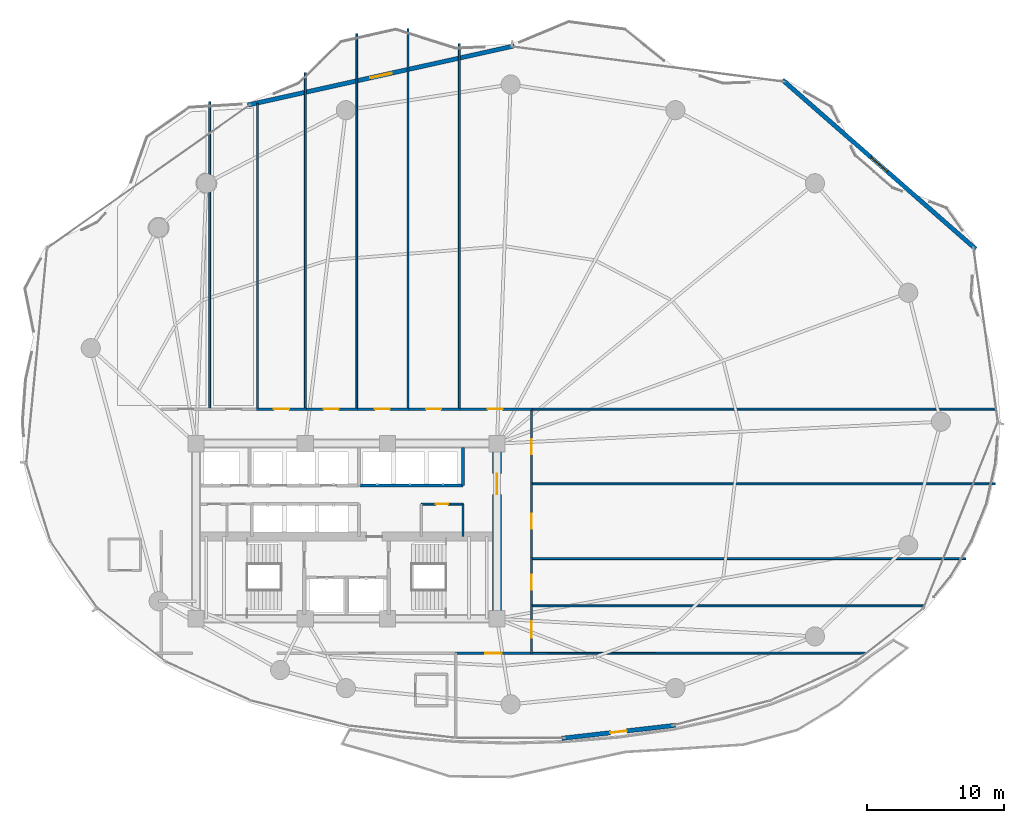
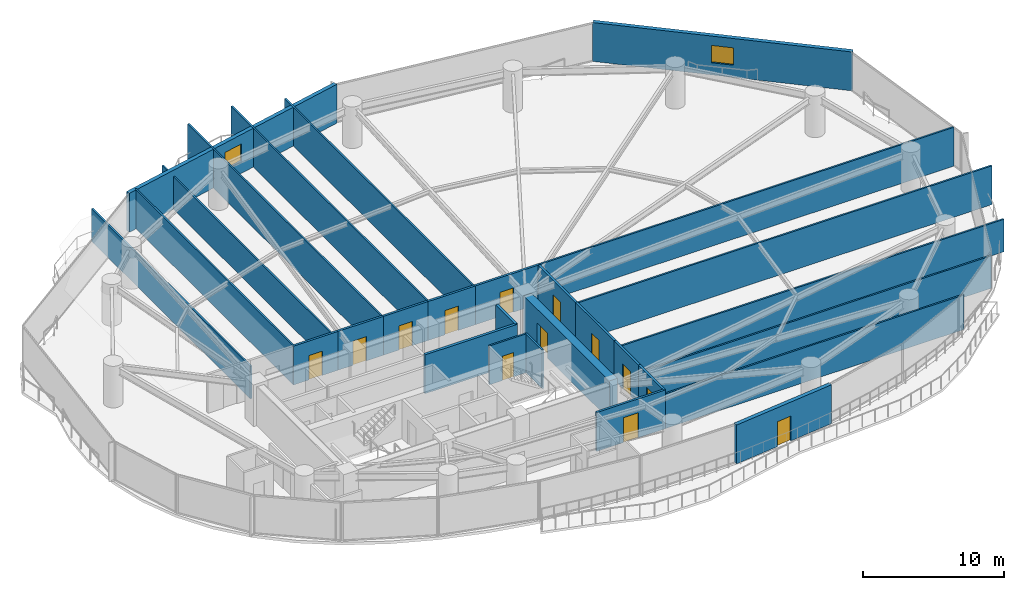
# One storey, part 26 of 31: 29 walls, 13 doors, 2 windows, 15 openings.
"""IFC4 building model written with IfcOpenShell, lengths in metres."""

from ifc_helpers import new_model, si_unit, direction, frame, frame_2d, origin, place, context, subcontext, project, spatial, rectangle, extrude, material, layer, layer_set, type_object, element, fill, save


model = new_model("IFC4")

# Units and contexts
model_context = context("Model", 3, precision=1e-05, world=origin(), true_north=direction((0.0, 1.0)))
body_context = subcontext(model_context, "Body", "Model", "MODEL_VIEW")
ifc_project = project(units=[si_unit("LENGTHUNIT", "METRE"), si_unit("AREAUNIT", "SQUARE_METRE"), si_unit("VOLUMEUNIT", "CUBIC_METRE"), si_unit("PLANEANGLEUNIT", "RADIAN"), si_unit("MASSUNIT", "GRAM", prefix="KILO")], contexts=[model_context])

# Site, building, storey
site_placement = place(None, origin())
site = spatial("IfcSite", under=ifc_project, at=site_placement, CompositionType="ELEMENT")
building_placement = place(site_placement, origin())
building = spatial("IfcBuilding", under=site, at=building_placement, Name="Kazevale Care Tower and Concert Hall", CompositionType="ELEMENT")
storey_placement = place(building_placement, frame((0.0, 0.0, 56.39990234375)))
storey = spatial("IfcBuildingStorey", under=building, at=storey_placement, Name="L14", CompositionType="ELEMENT", Elevation=56.39990234375)

# Wall
ifc_material_1 = material(Name="Acoustic Gypsum on Steel Stud", Category="steel")
ifc_layer_1 = layer(ifc_material_1, 0.139892578125)
ifc_layer_set_1 = layer_set([ifc_layer_1], Name="Acoustic Gypsum on Steel Stud")
wall_type_1 = type_object("IfcWallType", Name="Acoustic Care & Suite Partition 140", PredefinedType="PARTITIONING", material=ifc_layer_set_1)
wall_1_placement = place(storey_placement, frame((41.52001953125, 29.6201171875, 0.0), z_axis=(0.0, 0.0, 1.0), x_axis=(0.0, 1.0, 0.0)))
element("IfcWall", 1, at=wall_1_placement, inside=storey, type_object=wall_type_1, Name="wall:L14:kb_ee", PredefinedType="PARTITIONING", context=body_context, shape_type="SweptSolid", body=[
    extrude(rectangle(XDim=2.35986328125, YDim=0.139892578125, at=frame_2d((1.179931640625, 0.0))), origin(), (0.0, 0.0, 1.0), 3.360107421875),
])

# Wall, opening, door
wall_2_placement = place(storey_placement, frame((38.47998046875, 31.97998046875, 0.0), z_axis=(0.0, 0.0, 1.0), x_axis=(1.0, 0.0, 0.0)))
wall_2 = element("IfcWall", 2, at=wall_2_placement, inside=storey, type_object=wall_type_1, Name="wall:L14:kb_en", PredefinedType="PARTITIONING", context=body_context, shape_type="SweptSolid", body=[
    extrude(rectangle(XDim=3.0400390625, YDim=0.139892578125, at=frame_2d((1.52001953125, 0.0))), origin(), (0.0, 0.0, 1.0), 3.360107421875),
])
opening_1_placement = place(wall_2_placement, frame((1.044921875, 0.0, 0.0)))
opening_1 = element("IfcOpeningElement", 3, at=opening_1_placement, cuts=wall_2, Name="Opening ID-900", PredefinedType="OPENING", context=body_context, shape_type="SweptSolid", body=[
    extrude(rectangle(XDim=0.919921875, YDim=2.10009765625, at=frame_2d((0.4599609375, 1.050048828125))), frame((0.0, 0.079833984375, 0.0), z_axis=(0.0, -1.0, 0.0), x_axis=(1.0, 0.0, 0.0)), (0.0, 0.0, 1.0), 0.159912109375),
])
ifc_material_2 = material(Name="Oak Timber Fire Leaf", Category="wood")
door_type_1 = type_object("IfcDoorType", Name="Bathroom & Service Door 920x2100", OperationType="NOTDEFINED", PredefinedType="DOOR", material=ifc_material_2)
door_1_placement = place(opening_1_placement, origin())
door_1 = element("IfcDoor", 4, at=door_1_placement, inside=storey, type_object=door_type_1, Name="door:L14:d_kbe", OperationType="SINGLE_SWING_LEFT", OverallHeight=2.10009765625, OverallWidth=0.919921875, PredefinedType="DOOR", context=body_context, shape_type="SweptSolid", body=[
    extrude(rectangle(XDim=0.919921875, YDim=2.10009765625, at=frame_2d((0.4599609375, 1.050048828125))), frame((0.0, 0.02490234375, 0.0), z_axis=(0.0, -1.0, 0.0), x_axis=(1.0, 0.0, 0.0)), (0.0, 0.0, 1.0), 0.050048828125),
])
fill(opening_1, door_1)

# Walls
wall_3_placement = place(storey_placement, frame((23.0, 61.39404296875, 0.0), z_axis=(0.0, 0.0, 1.0), x_axis=(0.0, -1.0, 0.0)))
element("IfcWall", 5, at=wall_3_placement, inside=storey, type_object=wall_type_1, Name="wall:L14:auto_016", PredefinedType="PARTITIONING", context=body_context, shape_type="SweptSolid", body=[
    extrude(rectangle(XDim=22.4990234375, YDim=0.139892578125, at=frame_2d((11.24951171875, 0.0))), origin(), (0.0, 0.0, 1.0), 2.80615234375),
])
wall_4_placement = place(storey_placement, frame((26.5, 61.2939453125, 0.0), z_axis=(0.0, 0.0, 1.0), x_axis=(0.0, -1.0, 0.0)))
element("IfcWall", 6, at=wall_4_placement, inside=storey, type_object=wall_type_1, Name="wall:L14:auto_017", PredefinedType="PARTITIONING", context=body_context, shape_type="SweptSolid", body=[
    extrude(rectangle(XDim=22.39892578125, YDim=0.139892578125, at=frame_2d((11.199462890625, 0.0))), origin(), (0.0, 0.0, 1.0), 3.360107421875),
])
wall_5_placement = place(storey_placement, frame((30.0, 63.52001953125, 0.0), z_axis=(0.0, 0.0, 1.0), x_axis=(0.0, -1.0, 0.0)))
element("IfcWall", 7, at=wall_5_placement, inside=storey, type_object=wall_type_1, Name="wall:L14:auto_018", PredefinedType="PARTITIONING", context=body_context, shape_type="SweptSolid", body=[
    extrude(rectangle(XDim=24.625, YDim=0.139892578125, at=frame_2d((12.3125, 0.0))), origin(), (0.0, 0.0, 1.0), 2.80615234375),
])
wall_6_placement = place(storey_placement, frame((33.75, 66.362060546875, 0.0), z_axis=(0.0, 0.0, 1.0), x_axis=(0.0, -1.0, 0.0)))
element("IfcWall", 8, at=wall_6_placement, inside=storey, type_object=wall_type_1, Name="wall:L14:auto_019", PredefinedType="PARTITIONING", context=body_context, shape_type="SweptSolid", body=[
    extrude(rectangle(XDim=27.467041015625, YDim=0.139892578125, at=frame_2d((13.7333984375, 0.0))), origin(), (0.0, 0.0, 1.0), 3.360107421875),
])
wall_7_placement = place(storey_placement, frame((37.5, 66.717041015625, 0.0), z_axis=(0.0, 0.0, 1.0), x_axis=(0.0, -1.0, 0.0)))
element("IfcWall", 9, at=wall_7_placement, inside=storey, type_object=wall_type_1, Name="wall:L14:auto_020", PredefinedType="PARTITIONING", context=body_context, shape_type="SweptSolid", body=[
    extrude(rectangle(XDim=27.822021484375, YDim=0.139892578125, at=frame_2d((13.9111328125, 0.0))), origin(), (0.0, 0.0, 1.0), 3.360107421875),
])
wall_8_placement = place(storey_placement, frame((41.25, 65.637939453125, 0.0), z_axis=(0.0, 0.0, 1.0), x_axis=(0.0, -1.0, 0.0)))
element("IfcWall", 10, at=wall_8_placement, inside=storey, type_object=wall_type_1, Name="wall:L14:auto_021", PredefinedType="PARTITIONING", context=body_context, shape_type="SweptSolid", body=[
    extrude(rectangle(XDim=26.742919921875, YDim=0.139892578125, at=frame_2d((13.37158203125, 0.0))), origin(), (0.0, 0.0, 1.0), 3.360107421875),
])
wall_9_placement = place(storey_placement, frame((80.480224609375, 38.925048828125, 0.0), z_axis=(0.0, 0.0, 1.0), x_axis=(-1.0, 0.0, 0.0)))
element("IfcWall", 11, at=wall_9_placement, inside=storey, type_object=wall_type_1, Name="wall:L14:auto_022", PredefinedType="PARTITIONING", context=body_context, shape_type="SweptSolid", body=[
    extrude(rectangle(XDim=34.020263671875, YDim=0.139892578125, at=frame_2d((17.01025390625, 0.0))), origin(), (0.0, 0.0, 1.0), 3.360107421875),
])
wall_10_placement = place(storey_placement, frame((46.4951171875, 24.5400390625, 0.0), z_axis=(0.0, 0.0, 1.0), x_axis=(1.0, 0.0, 0.0)))
element("IfcWall", 12, at=wall_10_placement, inside=storey, type_object=wall_type_1, Name="wall:L14:auto_023", PredefinedType="PARTITIONING", context=body_context, shape_type="SweptSolid", body=[
    extrude(rectangle(XDim=28.7470703125, YDim=0.139892578125, at=frame_2d((14.37353515625, 0.0))), origin(), (0.0, 0.0, 1.0), 2.80615234375),
])
wall_11_placement = place(storey_placement, frame((71.0107421875, 21.094482421875, 0.0), z_axis=(0.0, 0.0, 1.0), x_axis=(-0.999999682646, -0.000796685534, 0.0)))
element("IfcWall", 13, at=wall_11_placement, inside=storey, type_object=wall_type_1, Name="wall:L14:auto_024", PredefinedType="PARTITIONING", context=body_context, shape_type="SweptSolid", body=[
    extrude(rectangle(XDim=24.515625, YDim=0.139892578125, at=frame_2d((12.2578125, 0.0))), origin(), (0.0, 0.0, 1.0), 2.99609375),
])
wall_12_placement = place(storey_placement, frame((46.4951171875, 28.0, 0.0), z_axis=(0.0, 0.0, 1.0), x_axis=(1.0, 0.0, 0.0)))
element("IfcWall", 14, at=wall_12_placement, inside=storey, type_object=wall_type_1, Name="wall:L14:auto_025", PredefinedType="PARTITIONING", context=body_context, shape_type="SweptSolid", body=[
    extrude(rectangle(XDim=31.766845703125, YDim=0.139892578125, at=frame_2d((15.88330078125, 0.0))), origin(), (0.0, 0.0, 1.0), 2.80615234375),
])
wall_13_placement = place(storey_placement, frame((46.4951171875, 33.4599609375, 0.0), z_axis=(0.0, 0.0, 1.0), x_axis=(1.0, 0.0, 0.0)))
element("IfcWall", 15, at=wall_13_placement, inside=storey, type_object=wall_type_1, Name="wall:L14:auto_026", PredefinedType="PARTITIONING", context=body_context, shape_type="SweptSolid", body=[
    extrude(rectangle(XDim=33.94091796875, YDim=0.139892578125, at=frame_2d((16.970458984375, 0.0))), origin(), (0.0, 0.0, 1.0), 3.360107421875),
])

# Wall, opening, door
ifc_material_3 = material(Name="Concrete C70", Category="concrete")
ifc_layer_2 = layer(ifc_material_3, 0.64990234375)
ifc_layer_set_2 = layer_set([ifc_layer_2], Name="Concrete C70")
wall_type_2 = type_object("IfcWallType", Name="Core Shear Wall 650 C70", PredefinedType="SHEAR", material=ifc_layer_set_2)
wall_14_placement = place(storey_placement, frame((44.0, 23.925048828125, 0.0), z_axis=(0.0, 0.0, 1.0), x_axis=(0.0, 1.0, 0.0)))
wall_14 = element("IfcWall", 16, at=wall_14_placement, inside=storey, type_object=wall_type_2, Name="wall:L14:core:E", PredefinedType="SHEAR", context=body_context, shape_type="SweptSolid", body=[
    extrude(rectangle(XDim=12.14990234375, YDim=0.64990234375, at=frame_2d((6.074951171875, 0.0))), origin(), (0.0, 0.0, 1.0), 3.360107421875),
])
opening_2_placement = place(wall_14_placement, frame((8.77490234375, 0.0, 0.0)))
opening_2 = element("IfcOpeningElement", 17, at=opening_2_placement, cuts=wall_14, Name="Opening FD-60D", PredefinedType="OPENING", context=body_context, shape_type="SweptSolid", body=[
    extrude(rectangle(XDim=1.5, YDim=2.14990234375, at=frame_2d((0.75, 1.074951171875))), frame((0.0, 0.3349609375, 0.0), z_axis=(0.0, -1.0, 0.0), x_axis=(1.0, 0.0, 0.0)), (0.0, 0.0, 1.0), 0.669921875),
])
door_type_2 = type_object("IfcDoorType", Name="Double Lobby & Auditorium Fire Door 1500x2150", OperationType="NOTDEFINED", PredefinedType="DOOR", material=ifc_material_2)
door_2_placement = place(opening_2_placement, origin())
door_2 = element("IfcDoor", 18, at=door_2_placement, inside=storey, type_object=door_type_2, Name="door:L14:core_east_out", OperationType="DOUBLE_DOOR_SINGLE_SWING", OverallHeight=2.14990234375, OverallWidth=1.5, PredefinedType="DOOR", context=body_context, shape_type="SweptSolid", body=[
    extrude(rectangle(XDim=1.5, YDim=2.14990234375, at=frame_2d((0.75, 1.074951171875))), frame((0.0, 0.02490234375, 0.0), z_axis=(0.0, -1.0, 0.0), x_axis=(1.0, 0.0, 0.0)), (0.0, 0.0, 1.0), 0.050048828125),
])
fill(opening_2, door_2)

# Walls
ifc_material_4 = material(Name="Concrete C40", Category="concrete")
ifc_layer_3 = layer(ifc_material_4, 0.219970703125)
ifc_layer_set_3 = layer_set([ifc_layer_3], Name="Concrete C40")
wall_type_3 = type_object("IfcWallType", Name="Elevator Hoistway Shaft Wall 220", PredefinedType="SOLIDWALL", material=ifc_layer_set_3)
wall_15_placement = place(storey_placement, frame((33.97998046875, 33.35009765625, 0.0), z_axis=(0.0, 0.0, 1.0), x_axis=(1.0, 0.0, 0.0)))
element("IfcWall", 19, at=wall_15_placement, inside=storey, type_object=wall_type_3, Name="wall:L14:c_pm_s", PredefinedType="SOLIDWALL", context=body_context, shape_type="SweptSolid", body=[
    extrude(rectangle(XDim=7.5400390625, YDim=0.219970703125, at=frame_2d((3.77001953125, 0.0))), origin(), (0.0, 0.0, 1.0), 3.360107421875),
])
wall_16_placement = place(storey_placement, frame((41.5, 33.35009765625, 0.0), z_axis=(0.0, 0.0, 1.0), x_axis=(0.0, 1.0, 0.0)))
element("IfcWall", 20, at=wall_16_placement, inside=storey, type_object=wall_type_3, Name="wall:L14:c_pm_e", PredefinedType="SOLIDWALL", context=body_context, shape_type="SweptSolid", body=[
    extrude(rectangle(XDim=2.75, YDim=0.219970703125, at=frame_2d((1.375, 0.0))), origin(), (0.0, 0.0, 1.0), 3.360107421875),
])

# Wall, opening, door
ifc_material_5 = material(Name="Concrete C40 and Acoustic Gypsum", Category="concrete")
ifc_layer_4 = layer(ifc_material_5, 0.179931640625)
ifc_layer_set_4 = layer_set([ifc_layer_4], Name="Concrete C40 and Acoustic Gypsum")
wall_type_4 = type_object("IfcWallType", Name="Fire-Rated Corridor & Party Wall 180", PredefinedType="PARTITIONING", material=ifc_layer_set_4)
wall_17_placement = place(storey_placement, frame((26.43505859375, 38.925048828125, 0.0), z_axis=(0.0, 0.0, 1.0), x_axis=(1.0, 0.0, 0.0)))
wall_17 = element("IfcWall", 21, at=wall_17_placement, inside=storey, type_object=wall_type_4, Name="wall:L14:auto_003", PredefinedType="PARTITIONING", context=body_context, shape_type="SweptSolid", body=[
    extrude(rectangle(XDim=3.6298828125, YDim=0.179931640625, at=frame_2d((1.81494140625, 0.0))), origin(), (0.0, 0.0, 1.0), 3.360107421875),
])
opening_3_placement = place(wall_17_placement, frame((1.264892578125, 0.0, 0.0)))
opening_3 = element("IfcOpeningElement", 22, at=opening_3_placement, cuts=wall_17, Name="Opening ID-1100", PredefinedType="OPENING", context=body_context, shape_type="SweptSolid", body=[
    extrude(rectangle(XDim=1.10009765625, YDim=2.10009765625, at=frame_2d((0.550048828125, 1.050048828125))), frame((0.0, 0.099853515625, 0.0), z_axis=(0.0, -1.0, 0.0), x_axis=(1.0, 0.0, 0.0)), (0.0, 0.0, 1.0), 0.199951171875),
])
door_type_3 = type_object("IfcDoorType", Name="Care Bedroom Accessible Door 1100x2100", OperationType="NOTDEFINED", PredefinedType="DOOR", material=ifc_material_2)
door_3_placement = place(opening_3_placement, origin())
door_3 = element("IfcDoor", 23, at=door_3_placement, inside=storey, type_object=door_type_3, Name="door:L14:ad_003", OperationType="SINGLE_SWING_LEFT", OverallHeight=2.10009765625, OverallWidth=1.10009765625, PredefinedType="DOOR", context=body_context, shape_type="SweptSolid", body=[
    extrude(rectangle(XDim=1.10009765625, YDim=2.10009765625, at=frame_2d((0.550048828125, 1.050048828125))), frame((0.0, 0.02490234375, 0.0), z_axis=(0.0, -1.0, 0.0), x_axis=(1.0, 0.0, 0.0)), (0.0, 0.0, 1.0), 0.050048828125),
])
fill(opening_3, door_3)

wall_18_placement = place(storey_placement, frame((29.93505859375, 38.925048828125, 0.0), z_axis=(0.0, 0.0, 1.0), x_axis=(1.0, 0.0, 0.0)))
wall_18 = element("IfcWall", 24, at=wall_18_placement, inside=storey, type_object=wall_type_4, Name="wall:L14:auto_004", PredefinedType="PARTITIONING", context=body_context, shape_type="SweptSolid", body=[
    extrude(rectangle(XDim=3.8798828125, YDim=0.179931640625, at=frame_2d((1.93994140625, 0.0))), origin(), (0.0, 0.0, 1.0), 3.360107421875),
])
opening_4_placement = place(wall_18_placement, frame((1.389892578125, 0.0, 0.0)))
opening_4 = element("IfcOpeningElement", 25, at=opening_4_placement, cuts=wall_18, Name="Opening ID-1100", PredefinedType="OPENING", context=body_context, shape_type="SweptSolid", body=[
    extrude(rectangle(XDim=1.10009765625, YDim=2.10009765625, at=frame_2d((0.550048828125, 1.050048828125))), frame((0.0, 0.099853515625, 0.0), z_axis=(0.0, -1.0, 0.0), x_axis=(1.0, 0.0, 0.0)), (0.0, 0.0, 1.0), 0.199951171875),
])
door_4_placement = place(opening_4_placement, origin())
door_4 = element("IfcDoor", 26, at=door_4_placement, inside=storey, type_object=door_type_3, Name="door:L14:ad_004", OperationType="SINGLE_SWING_LEFT", OverallHeight=2.10009765625, OverallWidth=1.10009765625, PredefinedType="DOOR", context=body_context, shape_type="SweptSolid", body=[
    extrude(rectangle(XDim=1.10009765625, YDim=2.10009765625, at=frame_2d((0.550048828125, 1.050048828125))), frame((0.0, 0.02490234375, 0.0), z_axis=(0.0, -1.0, 0.0), x_axis=(1.0, 0.0, 0.0)), (0.0, 0.0, 1.0), 0.050048828125),
])
fill(opening_4, door_4)

wall_19_placement = place(storey_placement, frame((33.68505859375, 38.925048828125, 0.0), z_axis=(0.0, 0.0, 1.0), x_axis=(1.0, 0.0, 0.0)))
wall_19 = element("IfcWall", 27, at=wall_19_placement, inside=storey, type_object=wall_type_4, Name="wall:L14:auto_005", PredefinedType="PARTITIONING", context=body_context, shape_type="SweptSolid", body=[
    extrude(rectangle(XDim=3.8798828125, YDim=0.179931640625, at=frame_2d((1.93994140625, 0.0))), origin(), (0.0, 0.0, 1.0), 3.360107421875),
])
opening_5_placement = place(wall_19_placement, frame((1.389892578125, 0.0, 0.0)))
opening_5 = element("IfcOpeningElement", 28, at=opening_5_placement, cuts=wall_19, Name="Opening ID-1100", PredefinedType="OPENING", context=body_context, shape_type="SweptSolid", body=[
    extrude(rectangle(XDim=1.10009765625, YDim=2.10009765625, at=frame_2d((0.550048828125, 1.050048828125))), frame((0.0, 0.099853515625, 0.0), z_axis=(0.0, -1.0, 0.0), x_axis=(1.0, 0.0, 0.0)), (0.0, 0.0, 1.0), 0.199951171875),
])
door_5_placement = place(opening_5_placement, origin())
door_5 = element("IfcDoor", 29, at=door_5_placement, inside=storey, type_object=door_type_3, Name="door:L14:ad_005", OperationType="SINGLE_SWING_LEFT", OverallHeight=2.10009765625, OverallWidth=1.10009765625, PredefinedType="DOOR", context=body_context, shape_type="SweptSolid", body=[
    extrude(rectangle(XDim=1.10009765625, YDim=2.10009765625, at=frame_2d((0.550048828125, 1.050048828125))), frame((0.0, 0.02490234375, 0.0), z_axis=(0.0, -1.0, 0.0), x_axis=(1.0, 0.0, 0.0)), (0.0, 0.0, 1.0), 0.050048828125),
])
fill(opening_5, door_5)

wall_20_placement = place(storey_placement, frame((37.43505859375, 38.925048828125, 0.0), z_axis=(0.0, 0.0, 1.0), x_axis=(1.0, 0.0, 0.0)))
wall_20 = element("IfcWall", 30, at=wall_20_placement, inside=storey, type_object=wall_type_4, Name="wall:L14:auto_006", PredefinedType="PARTITIONING", context=body_context, shape_type="SweptSolid", body=[
    extrude(rectangle(XDim=3.8798828125, YDim=0.179931640625, at=frame_2d((1.93994140625, 0.0))), origin(), (0.0, 0.0, 1.0), 3.360107421875),
])
opening_6_placement = place(wall_20_placement, frame((1.389892578125, 0.0, 0.0)))
opening_6 = element("IfcOpeningElement", 31, at=opening_6_placement, cuts=wall_20, Name="Opening ID-1100", PredefinedType="OPENING", context=body_context, shape_type="SweptSolid", body=[
    extrude(rectangle(XDim=1.10009765625, YDim=2.10009765625, at=frame_2d((0.550048828125, 1.050048828125))), frame((0.0, 0.099853515625, 0.0), z_axis=(0.0, -1.0, 0.0), x_axis=(1.0, 0.0, 0.0)), (0.0, 0.0, 1.0), 0.199951171875),
])
door_6_placement = place(opening_6_placement, origin())
door_6 = element("IfcDoor", 32, at=door_6_placement, inside=storey, type_object=door_type_3, Name="door:L14:ad_006", OperationType="SINGLE_SWING_LEFT", OverallHeight=2.10009765625, OverallWidth=1.10009765625, PredefinedType="DOOR", context=body_context, shape_type="SweptSolid", body=[
    extrude(rectangle(XDim=1.10009765625, YDim=2.10009765625, at=frame_2d((0.550048828125, 1.050048828125))), frame((0.0, 0.02490234375, 0.0), z_axis=(0.0, -1.0, 0.0), x_axis=(1.0, 0.0, 0.0)), (0.0, 0.0, 1.0), 0.050048828125),
])
fill(opening_6, door_6)

wall_21_placement = place(storey_placement, frame((41.18505859375, 38.925048828125, 0.0), z_axis=(0.0, 0.0, 1.0), x_axis=(1.0, 0.0, 0.0)))
wall_21 = element("IfcWall", 33, at=wall_21_placement, inside=storey, type_object=wall_type_4, Name="wall:L14:auto_007", PredefinedType="PARTITIONING", context=body_context, shape_type="SweptSolid", body=[
    extrude(rectangle(XDim=5.369873046875, YDim=0.179931640625, at=frame_2d((2.68505859375, 0.0))), origin(), (0.0, 0.0, 1.0), 3.360107421875),
])
opening_7_placement = place(wall_21_placement, frame((2.135009765625, 0.0, 0.0)))
opening_7 = element("IfcOpeningElement", 34, at=opening_7_placement, cuts=wall_21, Name="Opening ID-1100", PredefinedType="OPENING", context=body_context, shape_type="SweptSolid", body=[
    extrude(rectangle(XDim=1.10009765625, YDim=2.10009765625, at=frame_2d((0.550048828125, 1.050048828125))), frame((0.0, 0.099853515625, 0.0), z_axis=(0.0, -1.0, 0.0), x_axis=(1.0, 0.0, 0.0)), (0.0, 0.0, 1.0), 0.199951171875),
])
door_7_placement = place(opening_7_placement, origin())
door_7 = element("IfcDoor", 35, at=door_7_placement, inside=storey, type_object=door_type_3, Name="door:L14:ad_007", OperationType="SINGLE_SWING_LEFT", OverallHeight=2.10009765625, OverallWidth=1.10009765625, PredefinedType="DOOR", context=body_context, shape_type="SweptSolid", body=[
    extrude(rectangle(XDim=1.10009765625, YDim=2.10009765625, at=frame_2d((0.550048828125, 1.050048828125))), frame((0.0, 0.02490234375, 0.0), z_axis=(0.0, -1.0, 0.0), x_axis=(1.0, 0.0, 0.0)), (0.0, 0.0, 1.0), 0.050048828125),
])
fill(opening_7, door_7)

wall_22_placement = place(storey_placement, frame((46.52490234375, 24.60498046875, 0.0), z_axis=(0.0, 0.0, 1.0), x_axis=(0.0, -1.0, 0.0)))
wall_22 = element("IfcWall", 36, at=wall_22_placement, inside=storey, type_object=wall_type_4, Name="wall:L14:auto_008", PredefinedType="PARTITIONING", context=body_context, shape_type="SweptSolid", body=[
    extrude(rectangle(XDim=3.56005859375, YDim=0.179931640625, at=frame_2d((1.780029296875, 0.0))), origin(), (0.0, 0.0, 1.0), 3.360107421875),
])
opening_8_placement = place(wall_22_placement, frame((1.179931640625, 0.0, 0.0)))
opening_8 = element("IfcOpeningElement", 37, at=opening_8_placement, cuts=wall_22, Name="Opening ID-1200", PredefinedType="OPENING", context=body_context, shape_type="SweptSolid", body=[
    extrude(rectangle(XDim=1.199951171875, YDim=2.14990234375, at=frame_2d((0.60009765625, 1.074951171875))), frame((0.0, 0.099853515625, 0.0), z_axis=(0.0, -1.0, 0.0), x_axis=(1.0, 0.0, 0.0)), (0.0, 0.0, 1.0), 0.199951171875),
])
door_type_4 = type_object("IfcDoorType", Name="Clinical & Therapy Door 1200x2150", OperationType="NOTDEFINED", PredefinedType="DOOR", material=ifc_material_2)
door_8_placement = place(opening_8_placement, origin())
door_8 = element("IfcDoor", 38, at=door_8_placement, inside=storey, type_object=door_type_4, Name="door:L14:ad_008", OperationType="SINGLE_SWING_LEFT", OverallHeight=2.14990234375, OverallWidth=1.199951171875, PredefinedType="DOOR", context=body_context, shape_type="SweptSolid", body=[
    extrude(rectangle(XDim=1.199951171875, YDim=2.14990234375, at=frame_2d((0.60009765625, 1.074951171875))), frame((0.0, 0.02490234375, 0.0), z_axis=(0.0, -1.0, 0.0), x_axis=(1.0, 0.0, 0.0)), (0.0, 0.0, 1.0), 0.050048828125),
])
fill(opening_8, door_8)

wall_23_placement = place(storey_placement, frame((46.52490234375, 28.06494140625, 0.0), z_axis=(0.0, 0.0, 1.0), x_axis=(0.0, -1.0, 0.0)))
wall_23 = element("IfcWall", 39, at=wall_23_placement, inside=storey, type_object=wall_type_4, Name="wall:L14:auto_009", PredefinedType="PARTITIONING", context=body_context, shape_type="SweptSolid", body=[
    extrude(rectangle(XDim=3.58984375, YDim=0.179931640625, at=frame_2d((1.794921875, 0.0))), origin(), (0.0, 0.0, 1.0), 3.360107421875),
])
opening_9_placement = place(wall_23_placement, frame((1.2451171875, 0.0, 0.0)))
opening_9 = element("IfcOpeningElement", 40, at=opening_9_placement, cuts=wall_23, Name="Opening ID-1100", PredefinedType="OPENING", context=body_context, shape_type="SweptSolid", body=[
    extrude(rectangle(XDim=1.10009765625, YDim=2.10009765625, at=frame_2d((0.550048828125, 1.050048828125))), frame((0.0, 0.099853515625, 0.0), z_axis=(0.0, -1.0, 0.0), x_axis=(1.0, 0.0, 0.0)), (0.0, 0.0, 1.0), 0.199951171875),
])
door_9_placement = place(opening_9_placement, origin())
door_9 = element("IfcDoor", 41, at=door_9_placement, inside=storey, type_object=door_type_3, Name="door:L14:ad_009", OperationType="SINGLE_SWING_LEFT", OverallHeight=2.10009765625, OverallWidth=1.10009765625, PredefinedType="DOOR", context=body_context, shape_type="SweptSolid", body=[
    extrude(rectangle(XDim=1.10009765625, YDim=2.10009765625, at=frame_2d((0.550048828125, 1.050048828125))), frame((0.0, 0.02490234375, 0.0), z_axis=(0.0, -1.0, 0.0), x_axis=(1.0, 0.0, 0.0)), (0.0, 0.0, 1.0), 0.050048828125),
])
fill(opening_9, door_9)

wall_24_placement = place(storey_placement, frame((46.52490234375, 33.52490234375, 0.0), z_axis=(0.0, 0.0, 1.0), x_axis=(0.0, -1.0, 0.0)))
wall_24 = element("IfcWall", 42, at=wall_24_placement, inside=storey, type_object=wall_type_4, Name="wall:L14:auto_010", PredefinedType="PARTITIONING", context=body_context, shape_type="SweptSolid", body=[
    extrude(rectangle(XDim=5.58984375, YDim=0.179931640625, at=frame_2d((2.794921875, 0.0))), origin(), (0.0, 0.0, 1.0), 3.360107421875),
])
opening_10_placement = place(wall_24_placement, frame((2.2451171875, 0.0, 0.0)))
opening_10 = element("IfcOpeningElement", 43, at=opening_10_placement, cuts=wall_24, Name="Opening ID-1100", PredefinedType="OPENING", context=body_context, shape_type="SweptSolid", body=[
    extrude(rectangle(XDim=1.10009765625, YDim=2.10009765625, at=frame_2d((0.550048828125, 1.050048828125))), frame((0.0, 0.099853515625, 0.0), z_axis=(0.0, -1.0, 0.0), x_axis=(1.0, 0.0, 0.0)), (0.0, 0.0, 1.0), 0.199951171875),
])
door_10_placement = place(opening_10_placement, origin())
door_10 = element("IfcDoor", 44, at=door_10_placement, inside=storey, type_object=door_type_3, Name="door:L14:ad_010", OperationType="SINGLE_SWING_LEFT", OverallHeight=2.10009765625, OverallWidth=1.10009765625, PredefinedType="DOOR", context=body_context, shape_type="SweptSolid", body=[
    extrude(rectangle(XDim=1.10009765625, YDim=2.10009765625, at=frame_2d((0.550048828125, 1.050048828125))), frame((0.0, 0.02490234375, 0.0), z_axis=(0.0, -1.0, 0.0), x_axis=(1.0, 0.0, 0.0)), (0.0, 0.0, 1.0), 0.050048828125),
])
fill(opening_10, door_10)

wall_25_placement = place(storey_placement, frame((46.52490234375, 38.955078125, 0.0), z_axis=(0.0, 0.0, 1.0), x_axis=(0.0, -1.0, 0.0)))
wall_25 = element("IfcWall", 45, at=wall_25_placement, inside=storey, type_object=wall_type_4, Name="wall:L14:auto_011", PredefinedType="PARTITIONING", context=body_context, shape_type="SweptSolid", body=[
    extrude(rectangle(XDim=5.56005859375, YDim=0.179931640625, at=frame_2d((2.780029296875, 0.0))), origin(), (0.0, 0.0, 1.0), 3.360107421875),
])
opening_11_placement = place(wall_25_placement, frame((2.22998046875, 0.0, 0.0)))
opening_11 = element("IfcOpeningElement", 46, at=opening_11_placement, cuts=wall_25, Name="Opening ID-1100", PredefinedType="OPENING", context=body_context, shape_type="SweptSolid", body=[
    extrude(rectangle(XDim=1.10009765625, YDim=2.10009765625, at=frame_2d((0.550048828125, 1.050048828125))), frame((0.0, 0.099853515625, 0.0), z_axis=(0.0, -1.0, 0.0), x_axis=(1.0, 0.0, 0.0)), (0.0, 0.0, 1.0), 0.199951171875),
])
door_11_placement = place(opening_11_placement, origin())
door_11 = element("IfcDoor", 47, at=door_11_placement, inside=storey, type_object=door_type_3, Name="door:L14:ad_011", OperationType="SINGLE_SWING_LEFT", OverallHeight=2.10009765625, OverallWidth=1.10009765625, PredefinedType="DOOR", context=body_context, shape_type="SweptSolid", body=[
    extrude(rectangle(XDim=1.10009765625, YDim=2.10009765625, at=frame_2d((0.550048828125, 1.050048828125))), frame((0.0, 0.02490234375, 0.0), z_axis=(0.0, -1.0, 0.0), x_axis=(1.0, 0.0, 0.0)), (0.0, 0.0, 1.0), 0.050048828125),
])
fill(opening_11, door_11)

wall_26_placement = place(storey_placement, frame((46.554931640625, 21.074951171875, 0.0), z_axis=(0.0, 0.0, 1.0), x_axis=(-1.0, 0.0, 0.0)))
wall_26 = element("IfcWall", 48, at=wall_26_placement, inside=storey, type_object=wall_type_4, Name="wall:L14:auto_013", PredefinedType="PARTITIONING", context=body_context, shape_type="SweptSolid", body=[
    extrude(rectangle(XDim=5.619873046875, YDim=0.179931640625, at=frame_2d((2.81005859375, 0.0))), origin(), (0.0, 0.0, 1.0), 3.360107421875),
])
opening_12_placement = place(wall_26_placement, frame((2.2099609375, 0.0, 0.0)))
opening_12 = element("IfcOpeningElement", 49, at=opening_12_placement, cuts=wall_26, Name="Opening ID-1200", PredefinedType="OPENING", context=body_context, shape_type="SweptSolid", body=[
    extrude(rectangle(XDim=1.199951171875, YDim=2.14990234375, at=frame_2d((0.60009765625, 1.074951171875))), frame((0.0, 0.099853515625, 0.0), z_axis=(0.0, -1.0, 0.0), x_axis=(1.0, 0.0, 0.0)), (0.0, 0.0, 1.0), 0.199951171875),
])
door_12_placement = place(opening_12_placement, origin())
door_12 = element("IfcDoor", 50, at=door_12_placement, inside=storey, type_object=door_type_4, Name="door:L14:ad_013", OperationType="SINGLE_SWING_LEFT", OverallHeight=2.14990234375, OverallWidth=1.199951171875, PredefinedType="DOOR", context=body_context, shape_type="SweptSolid", body=[
    extrude(rectangle(XDim=1.199951171875, YDim=2.14990234375, at=frame_2d((0.60009765625, 1.074951171875))), frame((0.0, 0.02490234375, 0.0), z_axis=(0.0, -1.0, 0.0), x_axis=(1.0, 0.0, 0.0)), (0.0, 0.0, 1.0), 0.050048828125),
])
fill(opening_12, door_12)

ifc_material_6 = material(Name="Concrete C40 with Honed Limestone Cladding", Category="masonry")
ifc_layer_5 = layer(ifc_material_6, 0.320068359375)
ifc_layer_set_5 = layer_set([ifc_layer_5], Name="Concrete C40 with Honed Limestone Cladding")
wall_type_5 = type_object("IfcWallType", Name="Tower Honed Limestone Spandrel Wall 320", PredefinedType="STANDARD", material=ifc_layer_set_5)
wall_27_placement = place(storey_placement, frame((57.050048828125, 15.81201171875, 0.0), z_axis=(0.0, 0.0, 1.0), x_axis=(-0.993503192468, -0.113804246649, 0.0)))
wall_27 = element("IfcWall", 51, at=wall_27_placement, inside=storey, type_object=wall_type_5, Name="wall:L14:bal_host", PredefinedType="STANDARD", context=body_context, shape_type="SweptSolid", body=[
    extrude(rectangle(XDim=8.364501953125, YDim=0.320068359375, at=frame_2d((4.18212890625, 0.0))), origin(), (0.0, 0.0, 1.0), 3.360107421875),
])
opening_13_placement = place(wall_27_placement, frame((3.58203125, 0.0, 0.0)))
opening_13 = element("IfcOpeningElement", 52, at=opening_13_placement, cuts=wall_27, Name="Opening BD-1200", PredefinedType="OPENING", context=body_context, shape_type="SweptSolid", body=[
    extrude(rectangle(XDim=1.199951171875, YDim=2.14990234375, at=frame_2d((0.60009765625, 1.074951171875))), frame((0.0, 0.169921875, 0.0), z_axis=(0.0, -1.0, 0.0), x_axis=(1.0, 0.0, 0.0)), (0.0, 0.0, 1.0), 0.340087890625),
])
ifc_material_7 = material(Name="Aluminium 6063-T6 and Low-E Glass", Category="aluminium")
door_type_5 = type_object("IfcDoorType", Name="Sheltered Balcony Glazed Door 1200x2150", OperationType="NOTDEFINED", PredefinedType="DOOR", material=ifc_material_7)
door_13_placement = place(opening_13_placement, origin())
door_13 = element("IfcDoor", 53, at=door_13_placement, inside=storey, type_object=door_type_5, Name="door:L14:BD-1", OperationType="SINGLE_SWING_LEFT", OverallHeight=2.14990234375, OverallWidth=1.199951171875, PredefinedType="DOOR", context=body_context, shape_type="SweptSolid", body=[
    extrude(rectangle(XDim=1.199951171875, YDim=2.14990234375, at=frame_2d((0.60009765625, 1.074951171875))), frame((0.0, 0.02490234375, 0.0), z_axis=(0.0, -1.0, 0.0), x_axis=(1.0, 0.0, 0.0)), (0.0, 0.0, 1.0), 0.050048828125),
])
fill(opening_13, door_13)

# Wall, opening, window
wall_28_placement = place(storey_placement, frame((25.780029296875, 61.14404296875, 0.0), z_axis=(0.0, 0.0, 1.0), x_axis=(0.976206349039, 0.216843639742, 0.0)))
wall_28 = element("IfcWall", 54, at=wall_28_placement, inside=storey, type_object=wall_type_5, Name="wall:L14:cbox:15", PredefinedType="STANDARD", context=body_context, shape_type="SweptSolid", body=[
    extrude(rectangle(XDim=19.949462890625, YDim=0.320068359375, at=frame_2d((9.974609375, 0.0))), origin(), (0.0, 0.0, 1.0), 3.360107421875),
])
opening_14_placement = place(wall_28_placement, frame((9.175048828125, 0.0, 1.050048828125)))
opening_14 = element("IfcOpeningElement", 55, at=opening_14_placement, cuts=wall_28, Name="Opening WIN-1", PredefinedType="OPENING", context=body_context, shape_type="SweptSolid", body=[
    extrude(rectangle(XDim=1.60009765625, YDim=1.5, at=frame_2d((0.800048828125, 0.75))), frame((0.0, 0.169921875, 0.0), z_axis=(0.0, -1.0, 0.0), x_axis=(1.0, 0.0, 0.0)), (0.0, 0.0, 1.0), 0.340087890625),
])
ifc_material_8 = material(Name="Low-E Laminated Glass", Category="glass")
window_type = type_object("IfcWindowType", Name="Convex Box Deep-Set Window 1600x1500", PartitioningType="DOUBLE_PANEL_VERTICAL", PredefinedType="WINDOW", material=ifc_material_8)
window_1_placement = place(opening_14_placement, origin())
window_1 = element("IfcWindow", 56, at=window_1_placement, inside=storey, type_object=window_type, Name="win:L14:cbox:15", OverallHeight=1.5, OverallWidth=1.60009765625, PartitioningType="SINGLE_PANEL", PredefinedType="WINDOW", context=body_context, shape_type="SweptSolid", body=[
    extrude(rectangle(XDim=1.60009765625, YDim=1.5, at=frame_2d((0.800048828125, 0.75))), frame((0.0, 0.030029296875, 0.0), z_axis=(0.0, -1.0, 0.0), x_axis=(1.0, 0.0, 0.0)), (0.0, 0.0, 1.0), 0.06005859375),
])
fill(opening_14, window_1)

wall_29_placement = place(storey_placement, frame((64.8740234375, 62.98388671875, 0.0), z_axis=(0.0, 0.0, 1.0), x_axis=(0.752445311183, -0.658654730249, 0.0)))
wall_29 = element("IfcWall", 57, at=wall_29_placement, inside=storey, type_object=wall_type_5, Name="wall:L14:cbox:17", PredefinedType="STANDARD", context=body_context, shape_type="SweptSolid", body=[
    extrude(rectangle(XDim=18.765380859375, YDim=0.320068359375, at=frame_2d((9.3828125, 0.0))), origin(), (0.0, 0.0, 1.0), 3.360107421875),
])
opening_15_placement = place(wall_29_placement, frame((8.58203125, 0.0, 1.050048828125)))
opening_15 = element("IfcOpeningElement", 58, at=opening_15_placement, cuts=wall_29, Name="Opening WIN-1", PredefinedType="OPENING", context=body_context, shape_type="SweptSolid", body=[
    extrude(rectangle(XDim=1.60009765625, YDim=1.5, at=frame_2d((0.800048828125, 0.75))), frame((0.0, 0.169921875, 0.0), z_axis=(0.0, -1.0, 0.0), x_axis=(1.0, 0.0, 0.0)), (0.0, 0.0, 1.0), 0.340087890625),
])
window_2_placement = place(opening_15_placement, origin())
window_2 = element("IfcWindow", 59, at=window_2_placement, inside=storey, type_object=window_type, Name="win:L14:cbox:17", OverallHeight=1.5, OverallWidth=1.60009765625, PartitioningType="SINGLE_PANEL", PredefinedType="WINDOW", context=body_context, shape_type="SweptSolid", body=[
    extrude(rectangle(XDim=1.60009765625, YDim=1.5, at=frame_2d((0.800048828125, 0.75))), frame((0.0, 0.030029296875, 0.0), z_axis=(0.0, -1.0, 0.0), x_axis=(1.0, 0.0, 0.0)), (0.0, 0.0, 1.0), 0.06005859375),
])
fill(opening_15, window_2)

save(model, "model.ifc")
